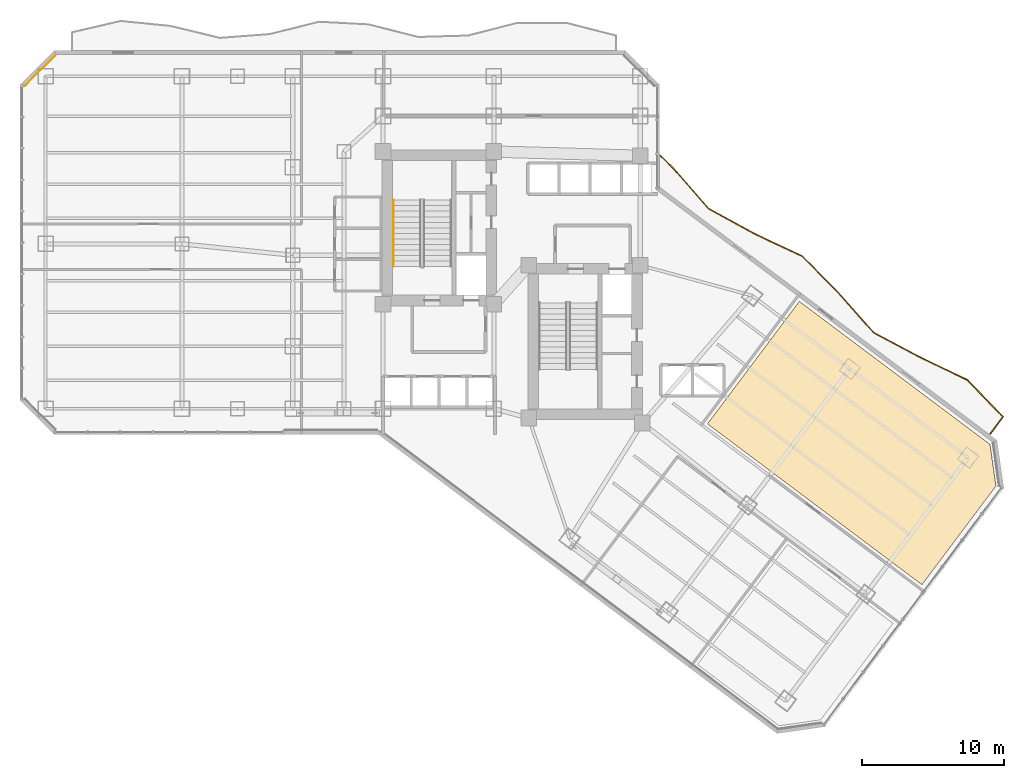
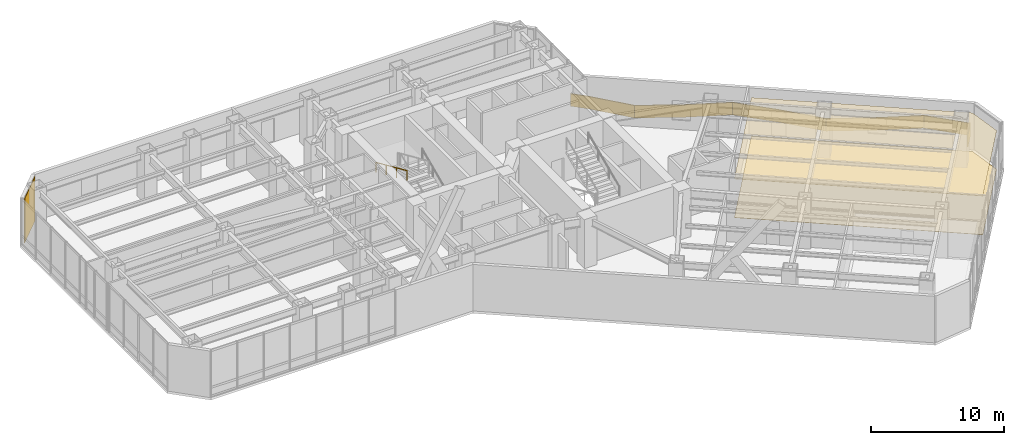
# One storey, part 27 of 29: 3 coverings, 2 railings.
"""IFC4 building model written with IfcOpenShell, lengths in metres."""

from ifc_helpers import new_model, si_unit, direction, frame, origin, origin_2d, place, context, subcontext, project, spatial, polyline, rectangle, circle, outline, extrude, material, layer, layer_set, type_object, element, save


model = new_model("IFC4")

# Units and contexts
model_context = context("Model", 3, precision=1e-05, world=origin(), true_north=direction((0.0, 1.0)))
body_context = subcontext(model_context, "Body", "Model", "MODEL_VIEW")
ifc_project = project(units=[si_unit("LENGTHUNIT", "METRE"), si_unit("AREAUNIT", "SQUARE_METRE"), si_unit("VOLUMEUNIT", "CUBIC_METRE"), si_unit("PLANEANGLEUNIT", "RADIAN"), si_unit("MASSUNIT", "GRAM", prefix="KILO")], contexts=[model_context])

# Site, building, storey
site_placement = place(None, origin())
site = spatial("IfcSite", under=ifc_project, at=site_placement, CompositionType="ELEMENT")
building_placement = place(site_placement, origin())
building = spatial("IfcBuilding", under=site, at=building_placement, Name="Hatsunagi Terrace Concourse", CompositionType="ELEMENT")
storey_placement = place(building_placement, frame((0.0, 0.0, 32.10009765625)))
storey = spatial("IfcBuildingStorey", under=building, at=storey_placement, Name="L07", CompositionType="ELEMENT", Elevation=32.10009765625)

# Covering
ifc_material_1 = material(Name="Acoustic mineral board", Category="gypsum")
ifc_layer_1 = layer(ifc_material_1, 0.02001953125)
ifc_layer_set_1 = layer_set([ifc_layer_1], Name="AcousticMineralCeiling_20")
covering_type_1 = type_object("IfcCoveringType", Name="AcousticMineralCeiling_20", PredefinedType="CEILING", material=ifc_layer_set_1)
covering_1_placement = place(storey_placement, frame((0.0, 0.0, 3.559814453125)))
element("IfcCovering", 1, at=covering_1_placement, inside=storey, type_object=covering_type_1, Name="Suspended Ceiling L07-1", PredefinedType="CEILING", context=body_context, shape_type="SweptSolid", body=[
    extrude(outline(polyline([(68.26611328125, 22.68798828125), (54.842041015625, 32.756103515625), (48.3798828125, 24.139892578125), (63.47607421875, 12.818115234375), (68.68408203125, 19.761962890625), (68.26611328125, 22.68798828125)])), origin(), (0.0, 0.0, 1.0), 0.02001953125),
])

# Railing
ifc_material_2 = material(Name="Laminated Glass and Stainless Steel Guard", Category="steel")
ifc_layer_2 = layer(ifc_material_2, 0.070068359375)
ifc_layer_set_2 = layer_set([ifc_layer_2], Name="BalconyGlassGuardRail_1150")
railing_type_1 = type_object("IfcRailingType", Name="BalconyGlassGuardRail_1150", PredefinedType="BALUSTRADE", material=ifc_layer_set_2)
railing_1_placement = place(storey_placement, origin())
element("IfcRailing", 2, at=railing_1_placement, inside=storey, type_object=railing_type_1, Name="Engawa Balcony Guard GRD-01 L07-BSE-1", PredefinedType="BALUSTRADE", context=body_context, shape_type="SweptSolid", body=[
    extrude(outline(polyline([(45.070556640625, 43.06494140625), (45.021484375, 43.01513671875), (45.9775390625, 42.072021484375), (48.4267578125, 39.26220703125), (51.66015625, 37.48876953125), (55.011474609375, 35.921875), (57.580322265625, 33.322021484375), (60.051025390625, 30.537109375), (63.30908203125, 28.798828125), (66.64013671875, 27.20703125), (69.135009765625, 24.623046875), (68.241943359375, 23.430908203125), (68.298095703125, 23.388916015625), (69.226806640625, 24.62890625), (66.681884765625, 27.264892578125), (63.3408203125, 28.861083984375), (60.094970703125, 30.593017578125), (57.631591796875, 33.369873046875), (55.052490234375, 35.97998046875), (51.69189453125, 37.55126953125), (48.47119140625, 39.317626953125), (46.028564453125, 42.1201171875), (45.070556640625, 43.06494140625)])), origin(), (0.0, 0.0, 1.0), 1.14990234375),
])

# Covering
ifc_material_3 = material(Name="Granite stone paving", Category="masonry")
ifc_layer_3 = layer(ifc_material_3, 0.02490234375)
ifc_layer_set_3 = layer_set([ifc_layer_3], Name="GraniteStoneFlooring_25")
covering_type_2 = type_object("IfcCoveringType", Name="GraniteStoneFlooring_25", PredefinedType="FLOORING", material=ifc_layer_set_3)
covering_2_placement = place(storey_placement, origin())
element("IfcCovering", 3, at=covering_2_placement, inside=storey, type_object=covering_type_2, Name="Finished Flooring L07-1", PredefinedType="FLOORING", context=body_context, shape_type="SweptSolid", body=[
    extrude(outline(polyline([(68.26611328125, 22.68798828125), (54.842041015625, 32.756103515625), (48.3798828125, 24.139892578125), (63.47607421875, 12.818115234375), (68.68408203125, 19.761962890625), (68.26611328125, 22.68798828125)])), origin(), (0.0, 0.0, 1.0), 0.02490234375),
])

# Railing
ifc_material_4 = material(Name="Stainless steel", Category="steel")
ifc_layer_4 = layer(ifc_material_4, 0.044921875)
ifc_layer_set_4 = layer_set([ifc_layer_4], Name="StairPitchHandrail_Tower2000")
railing_type_2 = type_object("IfcRailingType", Name="StairPitchHandrail_Tower2000", PredefinedType="HANDRAIL", material=ifc_layer_set_4)
railing_2_placement = place(storey_placement, frame((26.280029296875, 39.8798828125, 2.423095703125)))
element("IfcRailing", 4, at=railing_2_placement, inside=storey, type_object=railing_type_2, Name="L07 ST-A stair handrail 2", PredefinedType="HANDRAIL", context=body_context, shape_type="SweptSolid", body=[
    extrude(circle(Radius=0.02392578125, at=origin_2d()), frame((0.0, 0.0, 0.8759765625), z_axis=(0.0, -0.914033604373, 0.405638472137), x_axis=(1.0, 0.0, 0.0)), (0.0, 0.0, 1.0), 5.1201171875),
    extrude(circle(Radius=0.02099609375, at=origin_2d()), origin(), (0.0, 0.0, 1.0), 0.851806640625),
    extrude(circle(Radius=0.02099609375, at=origin_2d()), frame((0.0, -1.56005859375, 0.6923828125)), (0.0, 0.0, 1.0), 0.851806640625),
    extrude(circle(Radius=0.02099609375, at=origin_2d()), frame((0.0, -3.119873046875, 1.384521484375)), (0.0, 0.0, 1.0), 0.851806640625),
    extrude(circle(Radius=0.02099609375, at=origin_2d()), frame((0.0, -4.679931640625, 2.076904296875)), (0.0, 0.0, 1.0), 0.851806640625),
])

# Covering
ifc_material_5 = material(Name="Unglazed Warm Terracotta Rainscreen Tile", Category="masonry")
ifc_layer_5 = layer(ifc_material_5, 0.044921875)
ifc_layer_set_5 = layer_set([ifc_layer_5], Name="TerracottaRainscreenCladding_45")
covering_type_3 = type_object("IfcCoveringType", Name="TerracottaRainscreenCladding_45", PredefinedType="CLADDING", material=ifc_layer_set_5)
covering_3_placement = place(storey_placement, frame((1.4140625, 48.986083984375, 0.099853515625), z_axis=(0.0, 0.0, 1.0), x_axis=(0.707106781187, 0.707106781187, 0.0)))
element("IfcCovering", 5, at=covering_3_placement, inside=storey, type_object=covering_type_3, Name="Terracotta Rainscreen Cladding L07-10", PredefinedType="CLADDING", context=body_context, shape_type="SweptSolid", body=[
    extrude(rectangle(XDim=3.0380859375, YDim=0.044921875, at=origin_2d()), origin(), (0.0, 0.0, 1.0), 4.080078125),
])

save(model, "model.ifc")
